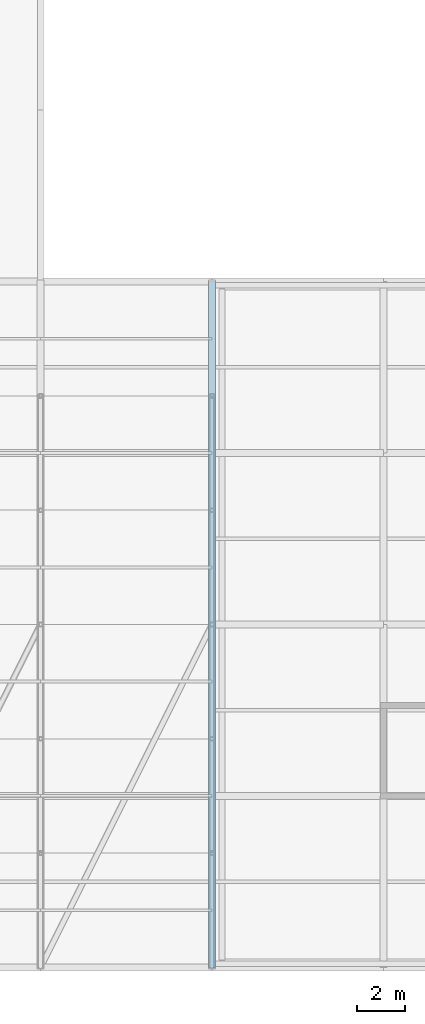
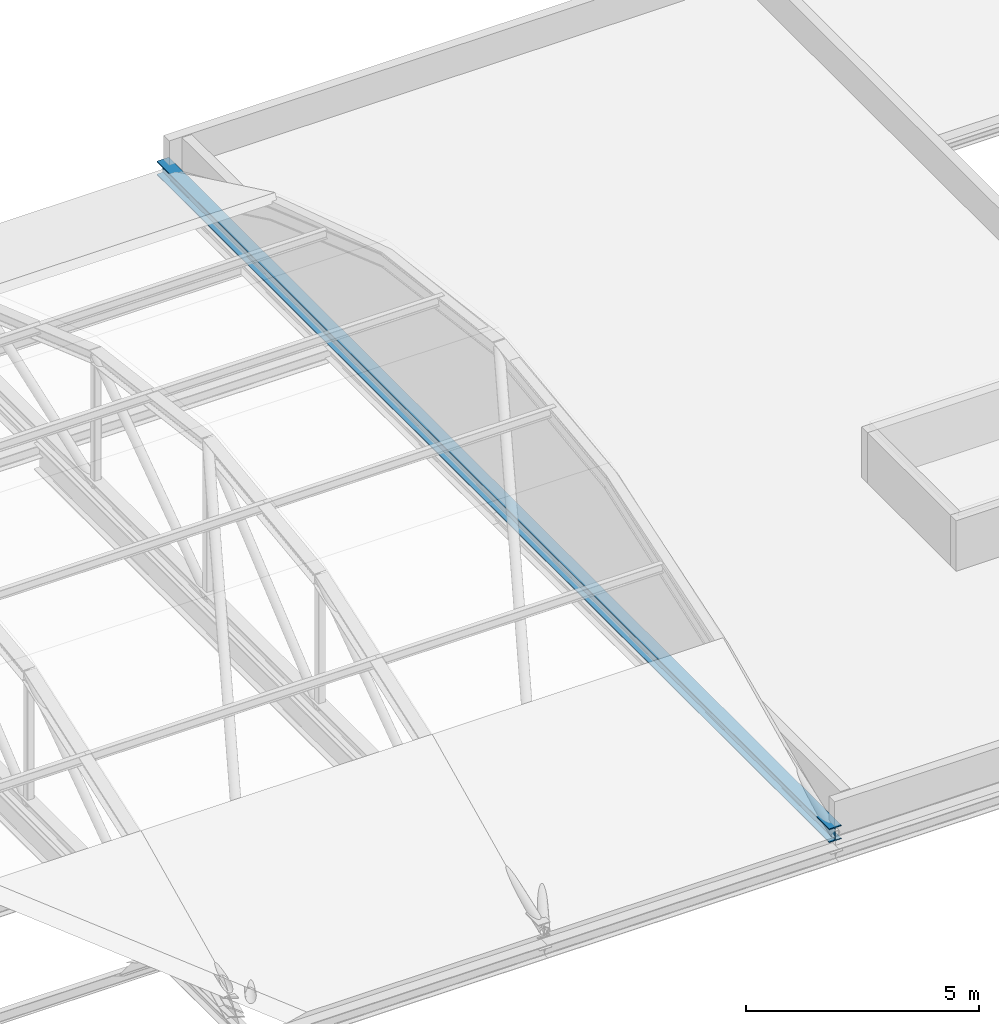
# One storey, part 27 of 103: 1 member.
"""IFC4 building model written with IfcOpenShell, lengths in metres."""

from ifc_helpers import new_model, si_unit, direction, frame, origin, origin_2d, place, context, subcontext, project, spatial, i_section, extrude, material, material_profile, profile_set, type_object, element, save


model = new_model("IFC4")

# Units and contexts
model_context = context("Model", 3, precision=1e-05, world=origin(), true_north=direction((0.0, 1.0)))
body_context = subcontext(model_context, "Body", "Model", "MODEL_VIEW")
ifc_project = project(units=[si_unit("LENGTHUNIT", "METRE"), si_unit("AREAUNIT", "SQUARE_METRE"), si_unit("VOLUMEUNIT", "CUBIC_METRE"), si_unit("PLANEANGLEUNIT", "RADIAN"), si_unit("MASSUNIT", "GRAM", prefix="KILO")], contexts=[model_context])

# Site, building, storey
site_placement = place(None, origin())
site = spatial("IfcSite", under=ifc_project, at=site_placement, CompositionType="ELEMENT")
building_placement = place(site_placement, origin())
building = spatial("IfcBuilding", under=site, at=building_placement, Name="Zlatovets Crest Museum", CompositionType="ELEMENT")
storey_placement = place(building_placement, frame((0.0, 0.0, 12.89990234375)))
storey = spatial("IfcBuildingStorey", under=building, at=storey_placement, Name="L03", CompositionType="ELEMENT", Elevation=12.89990234375)

# Member
ifc_material = material(Name="Structural steel S355J2", Category="steel")
ifc_material_profile = material_profile(ifc_material, i_section(OverallWidth=0.300048828125, OverallDepth=0.360107421875, WebThickness=0.012451171875, FlangeThickness=0.0224609375, FilletRadius=0.027099609375, at=origin_2d()), Name="HEB 360")
ifc_profile_set = profile_set([ifc_material_profile], Name="Structural steel S355J2")
member_type = type_object("IfcMemberType", Name="Member_TM-01", PredefinedType="CHORD", material=ifc_profile_set)
member_placement = place(storey_placement, frame((28.800048828125, 0.0, 0.080078125), z_axis=(0.0, 1.0, 0.0), x_axis=(-1.0, 0.0, 0.0)))
element("IfcMember", 1, at=member_placement, inside=storey, type_object=member_type, Name="V3 Art Nouveau Barrel Vault Tie Chord", PredefinedType="CHORD", context=body_context, shape_type="SweptSolid", body=[
    extrude(i_section(OverallWidth=0.300048828125, OverallDepth=0.360107421875, WebThickness=0.012451171875, FlangeThickness=0.0224609375, FilletRadius=0.027099609375, at=origin_2d()), origin(), (0.0, 0.0, 1.0), 28.800048828125),
])

save(model, "model.ifc")
